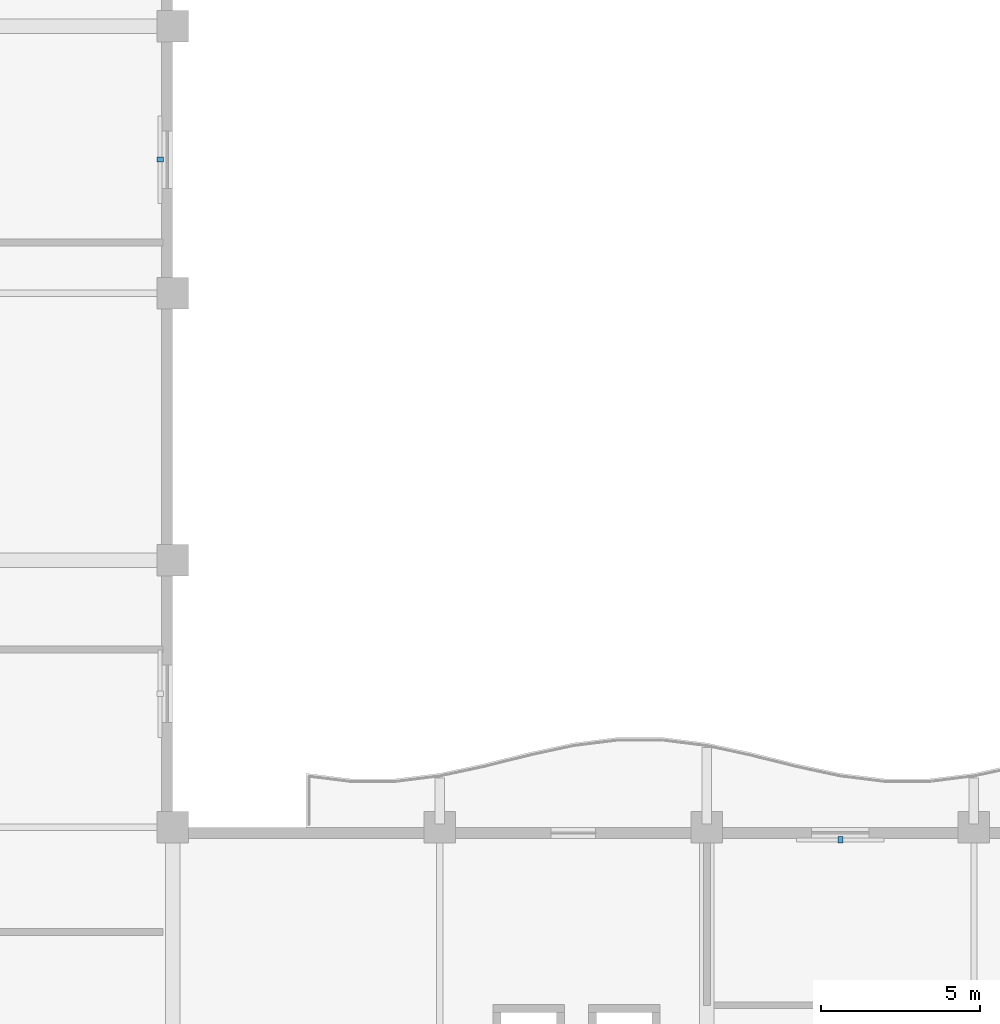
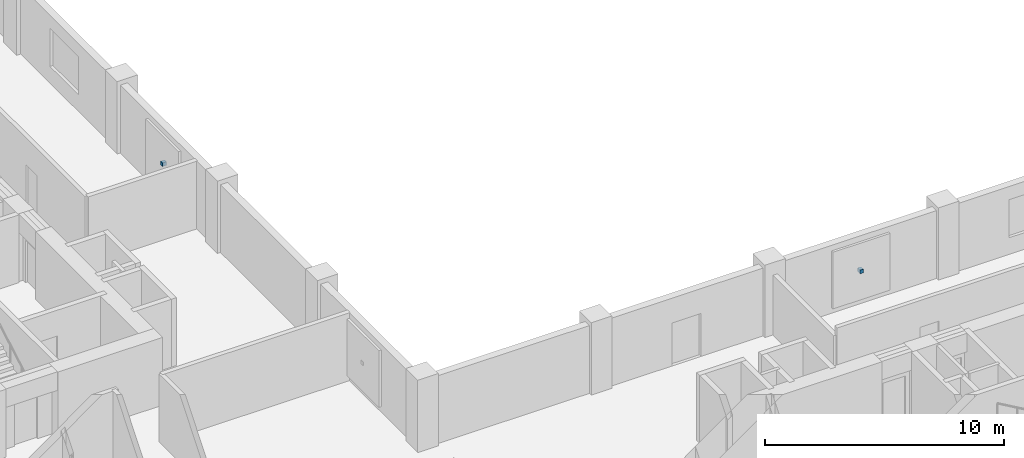
# One storey, part 12 of 16: 2 discrete accessories.
"""IFC4 building model written with IfcOpenShell, lengths in metres."""

from ifc_helpers import new_model, si_unit, direction, frame, origin, origin_2d, place, context, subcontext, project, spatial, rectangle, extrude, material, type_object, element, save


model = new_model("IFC4")

# Units and contexts
model_context = context("Model", 3, precision=1e-05, world=origin(), true_north=direction((0.0, 1.0)))
body_context = subcontext(model_context, "Body", "Model", "MODEL_VIEW")
ifc_project = project(units=[si_unit("LENGTHUNIT", "METRE"), si_unit("AREAUNIT", "SQUARE_METRE"), si_unit("VOLUMEUNIT", "CUBIC_METRE"), si_unit("PLANEANGLEUNIT", "RADIAN"), si_unit("MASSUNIT", "GRAM", prefix="KILO")], contexts=[model_context])

# Site, building, storey
site_placement = place(None, origin())
site = spatial("IfcSite", under=ifc_project, at=site_placement, CompositionType="ELEMENT")
building_placement = place(site_placement, origin())
building = spatial("IfcBuilding", under=site, at=building_placement, Name="Koriwani Terraces Tower", CompositionType="ELEMENT")
storey_placement = place(building_placement, frame((0.0, 0.0, 179.10009765625)))
storey = spatial("IfcBuildingStorey", under=building, at=storey_placement, Name="L43", CompositionType="ELEMENT", Elevation=179.10009765625)

# Discrete accessories
ifc_material = material(Name="Steel ASTM A572 Grade 50", Category="steel")
discrete_accessory_type = type_object("IfcDiscreteAccessoryType", Name="BAGUETTE_STANDOFF_BRACKET", PredefinedType="BRACKET", material=ifc_material)
for number, where, z_axis, x_axis, name in (
    (1, (33.2099609375, 54.60009765625, 1.64501953125), (0.0, 0.0, 1.0), (0.0, -1.0, 0.0), "L43 Terracotta Baguette Bracket (NW_IN-8)"),
    (2, (54.60009765625, 33.2099609375, 1.64501953125), (0.0, 0.0, 1.0), (1.0, 0.0, 0.0), "L43 Terracotta Baguette Bracket (NE-8)"),
):
    element("IfcDiscreteAccessory", number, at=place(storey_placement, frame(where, z_axis=z_axis, x_axis=x_axis)), inside=storey, type_object=discrete_accessory_type, Name=name, PredefinedType="BRACKET", context=body_context, shape_type="SweptSolid", body=[
        extrude(rectangle(XDim=0.159912109375, YDim=0.199951171875, at=origin_2d()), origin(), (0.0, 0.0, 1.0), 0.179931640625),
    ])

save(model, "model.ifc")
